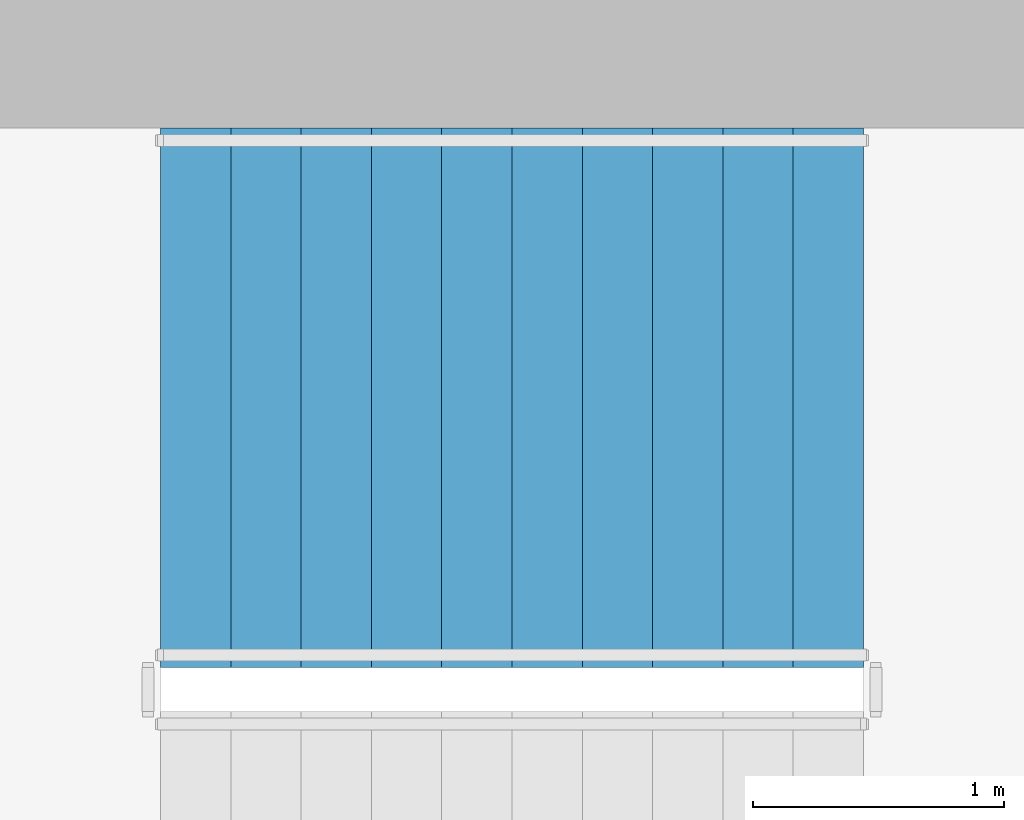
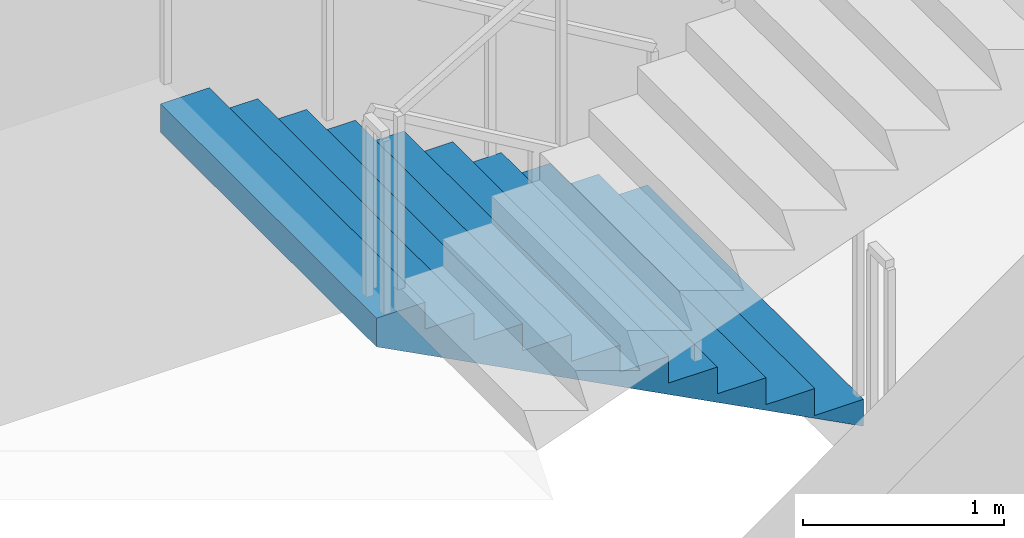
# One storey, part 12 of 20: 1 stair flight, 1 element without a shape of its own.
"""IFC4 building model written with IfcOpenShell, lengths in metres."""

from ifc_helpers import new_model, si_unit, direction, frame, origin, place, context, subcontext, project, spatial, triangles, material, type_object, element, aggregate, save


model = new_model("IFC4")

# Units and contexts
model_context = context("Model", 3, precision=1e-05, world=origin(), true_north=direction((0.0, 1.0)))
body_context = subcontext(model_context, "Body", "Model", "MODEL_VIEW")
ifc_project = project(units=[si_unit("LENGTHUNIT", "METRE"), si_unit("AREAUNIT", "SQUARE_METRE"), si_unit("VOLUMEUNIT", "CUBIC_METRE"), si_unit("PLANEANGLEUNIT", "RADIAN"), si_unit("MASSUNIT", "GRAM", prefix="KILO")], contexts=[model_context])

# Site, building, storey
site_placement = place(None, origin())
site = spatial("IfcSite", under=ifc_project, at=site_placement, CompositionType="ELEMENT")
building_placement = place(site_placement, origin())
building = spatial("IfcBuilding", under=site, at=building_placement, Name="Cypress Arch Tower", CompositionType="ELEMENT")
storey_placement = place(building_placement, frame((0.0, 0.0, 59.10009765625)))
storey = spatial("IfcBuildingStorey", under=building, at=storey_placement, Name="L08", CompositionType="ELEMENT", Elevation=59.10009765625)

# Stair, stair flight
ifc_material_1 = material(Name="Concrete C40/50", Category="concrete")
stair_type = type_object("IfcStairType", Name="Exit stair ES1636-215", PredefinedType="HALF_TURN_STAIR", material=ifc_material_1)
stair_placement = place(storey_placement, origin())
stair = element("IfcStair", 1, at=stair_placement, inside=storey, type_object=stair_type, Name="L08 Exit stair B", PredefinedType="HALF_TURN_STAIR")
ifc_material_2 = material(Name="Concrete C40/50", Category="concrete")
stair_flight_type = type_object("IfcStairFlightType", Name="Exit stair flight ES1636-215", PredefinedType="STRAIGHT", material=ifc_material_2)
stair_flight_placement = place(storey_placement, frame((-22.27490234375, 13.72509765625, 0.0), z_axis=(0.0, 0.0, 1.0), x_axis=(-1.0, 0.0, 0.0)))
stair_flight = element("IfcStairFlight", 2, at=stair_flight_placement, type_object=stair_flight_type, Name="B flight 1", NumberOfRisers=11, NumberOfTreads=10, PredefinedType="STRAIGHT", RiserHeight=0.163636364, TreadLength=0.28, context=body_context, shape_type="Tessellation", body=[
    triangles([(0.0, -1.074951171875, 0.0), (0.000244140625, -1.074951171875, 0.03271484375), (0.00048828125, -1.074951171875, 0.0654296875), (0.00048828125, -1.074951171875, 0.09814453125), (0.000244140625, -1.074951171875, 0.130859375), (0.0, -1.074951171875, 0.16357421875), (0.280029296875, -1.074951171875, 0.16357421875), (0.280029296875, -1.074951171875, 0.327392578125), (0.56005859375, -1.074951171875, 0.327392578125), (0.56005859375, -1.074951171875, 0.490966796875), (0.840087890625, -1.074951171875, 0.490966796875), (0.840087890625, -1.074951171875, 0.654541015625), (1.1201171875, -1.074951171875, 0.654541015625), (1.1201171875, -1.074951171875, 0.818115234375), (1.39990234375, -1.074951171875, 0.818115234375), (1.39990234375, -1.074951171875, 0.98193359375), (1.679931640625, -1.074951171875, 0.98193359375), (1.679931640625, -1.074951171875, 1.1455078125), (1.9599609375, -1.074951171875, 1.1455078125), (1.9599609375, -1.074951171875, 1.30908203125), (2.239990234375, -1.074951171875, 1.30908203125), (2.239990234375, -1.074951171875, 1.47265625), (2.52001953125, -1.074951171875, 1.47265625), (2.52001953125, -1.074951171875, 1.636474609375), (2.800048828125, -1.074951171875, 1.636474609375), (2.7998046875, -1.074951171875, 1.601806640625), (2.799560546875, -1.074951171875, 1.56689453125), (2.799560546875, -1.074951171875, 1.5322265625), (2.7998046875, -1.074951171875, 1.497314453125), (2.800048828125, -1.074951171875, 1.462646484375), (2.800048828125, 1.074951171875, 1.462646484375), (2.7998046875, 1.074951171875, 1.497314453125), (2.799560546875, 1.074951171875, 1.5322265625), (2.799560546875, 1.074951171875, 1.56689453125), (2.7998046875, 1.074951171875, 1.601806640625), (2.800048828125, 1.074951171875, 1.636474609375), (2.52001953125, 1.074951171875, 1.636474609375), (2.52001953125, 1.074951171875, 1.47265625), (2.239990234375, 1.074951171875, 1.47265625), (2.239990234375, 1.074951171875, 1.30908203125), (1.9599609375, 1.074951171875, 1.30908203125), (1.9599609375, 1.074951171875, 1.1455078125), (1.679931640625, 1.074951171875, 1.1455078125), (1.679931640625, 1.074951171875, 0.98193359375), (1.39990234375, 1.074951171875, 0.98193359375), (1.39990234375, 1.074951171875, 0.818115234375), (1.1201171875, 1.074951171875, 0.818115234375), (1.1201171875, 1.074951171875, 0.654541015625), (0.840087890625, 1.074951171875, 0.654541015625), (0.840087890625, 1.074951171875, 0.490966796875), (0.56005859375, 1.074951171875, 0.490966796875), (0.56005859375, 1.074951171875, 0.327392578125), (0.280029296875, 1.074951171875, 0.327392578125), (0.280029296875, 1.074951171875, 0.16357421875), (0.0, 1.074951171875, 0.16357421875), (0.000244140625, 1.074951171875, 0.130859375), (0.00048828125, 1.074951171875, 0.09814453125), (0.00048828125, 1.074951171875, 0.0654296875), (0.000244140625, 1.074951171875, 0.03271484375), (0.0, 1.074951171875, 0.0), (2.7998046875, 0.0, 1.497314453125), (2.800048828125, 0.0, 1.462646484375), (2.799560546875, 0.0, 1.5322265625), (2.799560546875, 0.0, 1.56689453125), (2.7998046875, 0.0, 1.601806640625), (2.800048828125, 0.0, 1.636474609375), (2.52001953125, 0.0, 1.636474609375), (2.52001953125, 0.0, 1.47265625), (2.239990234375, 0.0, 1.47265625), (2.239990234375, 0.0, 1.30908203125), (1.9599609375, 0.0, 1.30908203125), (1.9599609375, 0.0, 1.1455078125), (1.679931640625, 0.0, 1.1455078125), (1.679931640625, 0.0, 0.98193359375), (1.39990234375, 0.0, 0.98193359375), (1.39990234375, 0.0, 0.818115234375), (1.1201171875, 0.0, 0.818115234375), (1.1201171875, 0.0, 0.654541015625), (0.840087890625, 0.0, 0.654541015625), (0.840087890625, 0.0, 0.490966796875), (0.56005859375, 0.0, 0.490966796875), (0.56005859375, 0.0, 0.327392578125), (0.280029296875, 0.0, 0.327392578125), (0.280029296875, 0.0, 0.16357421875), (0.0, 0.0, 0.16357421875), (0.000244140625, 0.0, 0.130859375), (0.00048828125, 0.0, 0.09814453125), (0.00048828125, 0.0, 0.0654296875), (0.000244140625, 0.0, 0.03271484375), (0.0, 0.0, 0.0)], [[30, 29, 24], [29, 28, 24], [28, 27, 24], [27, 26, 24], [26, 25, 24], [17, 16, 15], [9, 8, 7], [15, 14, 13], [23, 22, 21], [21, 20, 19], [19, 18, 17], [13, 12, 11], [11, 10, 9], [6, 5, 7], [5, 4, 7], [4, 3, 7], [3, 2, 7], [2, 1, 7], [30, 24, 23], [30, 23, 21], [30, 21, 19], [30, 19, 17], [30, 17, 15], [30, 15, 13], [30, 13, 11], [30, 11, 9], [30, 9, 7], [30, 7, 1], [31, 37, 32], [32, 37, 33], [33, 37, 34], [34, 37, 35], [35, 37, 36], [44, 46, 45], [52, 54, 53], [46, 48, 47], [38, 40, 39], [40, 42, 41], [42, 44, 43], [48, 50, 49], [50, 52, 51], [55, 54, 56], [56, 54, 57], [57, 54, 58], [58, 54, 59], [59, 54, 60], [31, 38, 37], [31, 40, 38], [31, 42, 40], [31, 44, 42], [31, 46, 44], [31, 48, 46], [31, 50, 48], [31, 52, 50], [31, 54, 52], [31, 60, 54], [62, 61, 29], [62, 29, 30], [31, 32, 61], [31, 61, 62], [61, 63, 28], [61, 28, 29], [32, 33, 63], [32, 63, 61], [63, 64, 27], [63, 27, 28], [33, 34, 64], [33, 64, 63], [64, 65, 26], [64, 26, 27], [34, 35, 65], [34, 65, 64], [65, 66, 25], [65, 25, 26], [35, 36, 66], [35, 66, 65], [66, 67, 24], [66, 24, 25], [36, 37, 67], [36, 67, 66], [67, 68, 23], [67, 23, 24], [37, 38, 68], [37, 68, 67], [68, 69, 22], [68, 22, 23], [38, 39, 69], [38, 69, 68], [69, 70, 21], [69, 21, 22], [39, 40, 70], [39, 70, 69], [70, 71, 20], [70, 20, 21], [40, 41, 71], [40, 71, 70], [71, 72, 19], [71, 19, 20], [41, 42, 72], [41, 72, 71], [72, 73, 18], [72, 18, 19], [42, 43, 73], [42, 73, 72], [73, 74, 17], [73, 17, 18], [43, 44, 74], [43, 74, 73], [74, 75, 16], [74, 16, 17], [44, 45, 75], [44, 75, 74], [75, 76, 15], [75, 15, 16], [45, 46, 76], [45, 76, 75], [76, 77, 14], [76, 14, 15], [46, 47, 77], [46, 77, 76], [77, 78, 13], [77, 13, 14], [47, 48, 78], [47, 78, 77], [78, 79, 12], [78, 12, 13], [48, 49, 79], [48, 79, 78], [79, 80, 11], [79, 11, 12], [49, 50, 80], [49, 80, 79], [80, 81, 10], [80, 10, 11], [50, 51, 81], [50, 81, 80], [81, 82, 9], [81, 9, 10], [51, 52, 82], [51, 82, 81], [82, 83, 8], [82, 8, 9], [52, 53, 83], [52, 83, 82], [83, 84, 7], [83, 7, 8], [53, 54, 84], [53, 84, 83], [84, 85, 6], [84, 6, 7], [54, 55, 85], [54, 85, 84], [85, 86, 5], [85, 5, 6], [55, 56, 86], [55, 86, 85], [86, 87, 4], [86, 4, 5], [56, 57, 87], [56, 87, 86], [87, 88, 3], [87, 3, 4], [57, 58, 88], [57, 88, 87], [88, 89, 2], [88, 2, 3], [58, 59, 89], [58, 89, 88], [89, 90, 1], [89, 1, 2], [59, 60, 90], [59, 90, 89], [90, 62, 30], [90, 30, 1], [60, 31, 62], [60, 62, 90]], closed=True),
])
aggregate(stair, [stair_flight])

save(model, "model.ifc")
